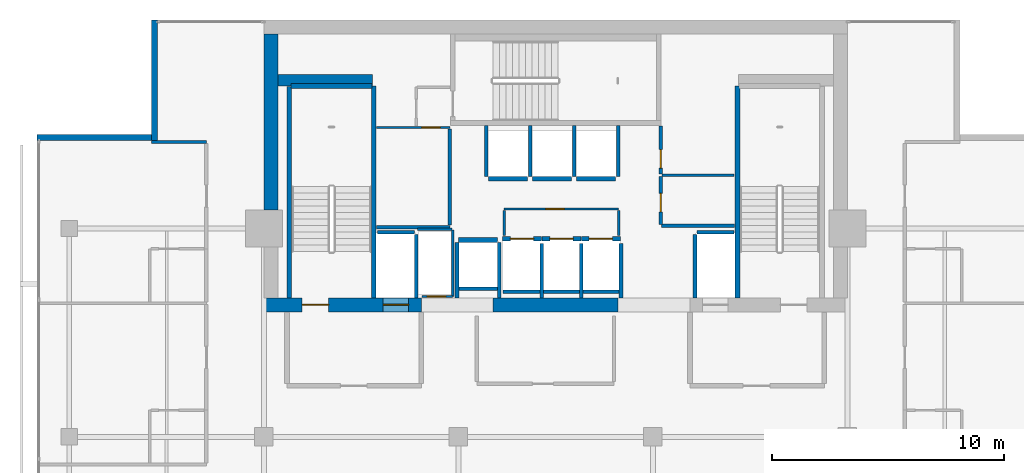
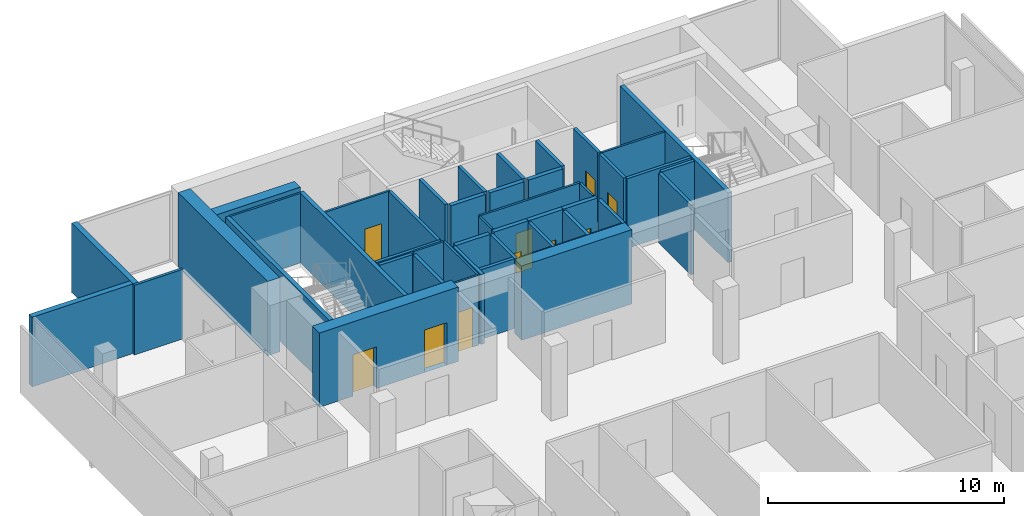
# One storey, part 22 of 25: 46 walls, 10 doors, 10 openings.
"""IFC4 building model written with IfcOpenShell, lengths in metres."""

import ifcopenshell
import ifcopenshell.guid

model = None  # the IFC model being written
_history = None  # IfcOwnerHistory: only IFC2X3 demands one
_inside = {}  # id of a spatial element -> (the spatial element, [elements in it])
_under = {}  # id of a project, library or spatial element -> (it, [spatial elements below it])
_declared = {}  # id of a project -> (the project, [libraries it declares])
_typed = {}  # id of a type object -> (the type object, [elements of that type])
_made_of = {}  # id of a material, layer set ... -> (it, [elements and type objects made of it])


def new_model(schema):
    """Start an empty IFC model of exactly this schema.

    Asked for "IFC4X3", IfcOpenShell would pick the latest addendum, in which some entities
    have other attributes; the version numbers below select the first issue.
    IFC2X3 requires an IfcOwnerHistory on every rooted entity: one is made here for all.
    """
    global model, _history
    if schema == "IFC4X3":
        model = ifcopenshell.file(schema_version=(4, 3, 0, 0))
    else:
        model = ifcopenshell.file(schema=schema)
    _inside.clear()
    _under.clear()
    _declared.clear()
    _typed.clear()
    _made_of.clear()
    _history = None
    if model.schema == "IFC2X3":
        org = make("IfcOrganization", Name="unknown")
        user = make(
            "IfcPersonAndOrganization",
            ThePerson=make("IfcPerson", FamilyName="unknown"),
            TheOrganization=org,
        )
        app = make(
            "IfcApplication",
            ApplicationDeveloper=org,
            Version="unknown",
            ApplicationFullName="unknown",
            ApplicationIdentifier="unknown",
        )
        _history = make(
            "IfcOwnerHistory",
            OwningUser=user,
            OwningApplication=app,
            ChangeAction="ADDED",
            CreationDate=0,
        )
    return model


def make(cls, **values):
    """One entity of the class cls with the attributes given. An attribute that is None is left unset."""
    return model.create_entity(
        cls, **{name: value for name, value in values.items() if value is not None}
    )


def rooted(cls, **values):
    """An entity with a GlobalId (a new one), such as an element, a storey or a relation."""
    return make(cls, GlobalId=ifcopenshell.guid.new(), OwnerHistory=_history, **values)


def si_unit(unit_type, name, prefix=None):
    """IfcSIUnit, for example si_unit("LENGTHUNIT", "METRE", prefix="MILLI")."""
    return make("IfcSIUnit", UnitType=unit_type, Prefix=prefix, Name=name)


def assignment(units):
    """IfcUnitAssignment: the units of a project."""
    return None if units is None else make("IfcUnitAssignment", Units=units)


def point(xyz):
    """IfcCartesianPoint."""
    return None if xyz is None else make("IfcCartesianPoint", Coordinates=xyz)


def direction(xyz):
    """IfcDirection."""
    return None if xyz is None else make("IfcDirection", DirectionRatios=xyz)


def frame(location, z_axis=None, x_axis=None):
    """IfcAxis2Placement3D, a coordinate frame: its origin and axes. An axis left out is left unset."""
    return make(
        "IfcAxis2Placement3D",
        Location=point(location),
        Axis=direction(z_axis),
        RefDirection=direction(x_axis),
    )


def frame_2d(location, x_axis=None):
    """IfcAxis2Placement2D, a coordinate frame in the plane: its origin and x axis."""
    return make(
        "IfcAxis2Placement2D", Location=point(location), RefDirection=direction(x_axis)
    )


def origin():
    """The frame at (0, 0, 0) with its axes left unset."""
    return frame((0.0, 0.0, 0.0))


def place(relative_to, where):
    """IfcLocalPlacement: puts the frame where relative to a parent placement (None: the world)."""
    return make(
        "IfcLocalPlacement", PlacementRelTo=relative_to, RelativePlacement=where
    )


def context(
    kind, dimensions, precision=None, world=None, true_north=None, identifier=None
):
    """IfcGeometricRepresentationContext, for example the 3D "Model" context."""
    return make(
        "IfcGeometricRepresentationContext",
        ContextIdentifier=identifier,
        ContextType=kind,
        CoordinateSpaceDimension=dimensions,
        Precision=precision,
        WorldCoordinateSystem=world,
        TrueNorth=true_north,
    )


def subcontext(parent, identifier, kind, view, scale=None):
    """IfcGeometricRepresentationSubContext, for example "Body" below "Model"."""
    return make(
        "IfcGeometricRepresentationSubContext",
        ContextIdentifier=identifier,
        ContextType=kind,
        ParentContext=parent,
        TargetScale=scale,
        TargetView=view,
    )


def project(units=None, contexts=None):
    """IfcProject with its units and contexts."""
    return rooted(
        "IfcProject",
        Name="project",
        RepresentationContexts=contexts,
        UnitsInContext=assignment(units),
    )


def spatial(cls, under=None, at=None, **own):
    """A site, building, storey or space (cls), placed at a placement, below another one or the project."""
    s = rooted(cls, ObjectPlacement=at, **own)
    if under is not None:
        _under.setdefault(under.id(), (under, []))[1].append(s)
    return s


def profile(cls, at=None, kind="AREA", **sizes):
    """A parametric profile (cls). Its sizes go by their IFC names, for example OverallWidth=200.0."""
    return make(cls, ProfileType=kind, Position=at, **sizes)


def rectangle(**sizes):
    """IfcRectangleProfileDef."""
    return profile("IfcRectangleProfileDef", **sizes)


def extrude(swept, where, along, depth):
    """IfcExtrudedAreaSolid: the profile swept, set in the frame where, extruded along a direction by depth."""
    return make(
        "IfcExtrudedAreaSolid",
        SweptArea=swept,
        Position=where,
        ExtrudedDirection=direction(along),
        Depth=depth,
    )


def shape(context_of_items, identifier, shape_type, items):
    """IfcShapeRepresentation: the items that make up one representation, for example the "Body"."""
    return make(
        "IfcShapeRepresentation",
        ContextOfItems=context_of_items,
        RepresentationIdentifier=identifier,
        RepresentationType=shape_type,
        Items=items,
    )


def material(Name=None, Category=None):
    """IfcMaterial."""
    return make("IfcMaterial", Name=Name, Category=Category)


def layer(
    of_material, thickness, ventilated=None, Name=None, Category=None, Priority=None
):
    """IfcMaterialLayer: one layer of a wall or slab, of a material (None: an air gap)."""
    return make(
        "IfcMaterialLayer",
        Material=of_material,
        LayerThickness=thickness,
        IsVentilated=ventilated,
        Name=Name,
        Category=Category,
        Priority=Priority,
    )


def layer_set(layers, Name=None):
    """IfcMaterialLayerSet."""
    return make("IfcMaterialLayerSet", MaterialLayers=layers, LayerSetName=Name)


def made_of(thing, what):
    """Note that an element or type object is made of a material, layer set ...; save() writes the relation."""
    if what is not None:
        _made_of.setdefault(what.id(), (what, []))[1].append(thing)
    return thing


def type_object(cls, material=None, **own):
    """A type object (cls), such as IfcWallType, which elements share."""
    return made_of(rooted(cls, **own), material)


def element(
    cls,
    number,
    at=None,
    inside=None,
    cuts=None,
    type_object=None,
    material=None,
    context=None,
    identifier="Body",
    shape_type=None,
    held_by="IfcProductDefinitionShape",
    body=None,
    shapes=None,
    **own,
):
    """One element of the class cls, such as IfcWall. Its Tag is "e" and its number.

    at: its placement. inside: the storey or other place that contains it. cuts: it is an
    opening in that element (IfcRelVoidsElement). A single representation is given by context,
    identifier, shape_type and body (its items); several are given by shapes. held_by: the class
    of the entity that holds the representations. save() writes the other relations.
    """
    e = rooted(cls, Tag="e%d" % number, ObjectPlacement=at, **own)
    if body is not None:
        shapes = [shape(context, identifier, shape_type, body)]
    if shapes is not None:
        e.Representation = make(held_by, Representations=shapes)
    if inside is not None:
        _inside.setdefault(inside.id(), (inside, []))[1].append(e)
    if cuts is not None:
        rooted(
            "IfcRelVoidsElement", RelatingBuildingElement=cuts, RelatedOpeningElement=e
        )
    if type_object is not None:
        _typed.setdefault(type_object.id(), (type_object, []))[1].append(e)
    return made_of(e, material)


def fill(opening, filler):
    """IfcRelFillsElement: the door or window that sits in an opening."""
    return rooted(
        "IfcRelFillsElement",
        RelatingOpeningElement=opening,
        RelatedBuildingElement=filler,
    )


def aggregate(whole, parts):
    """IfcRelAggregates: a whole, such as a stair, and the parts it consists of."""
    return rooted("IfcRelAggregates", RelatingObject=whole, RelatedObjects=parts)


def save(model, path):
    """Write the relations noted so far, then the file.

    IfcRelAggregates (storeys below a building ...), IfcRelContainedInSpatialStructure (elements
    in a storey), IfcRelDefinesByType, IfcRelAssociatesMaterial and IfcRelDeclares: one each for
    every whole, place, type object, material and project.
    """
    for whole, parts in _under.values():
        aggregate(whole, parts)
    for where, things in _inside.values():
        rooted(
            "IfcRelContainedInSpatialStructure",
            RelatedElements=things,
            RelatingStructure=where,
        )
    for kind, things in _typed.values():
        rooted("IfcRelDefinesByType", RelatedObjects=things, RelatingType=kind)
    for what, things in _made_of.values():
        rooted("IfcRelAssociatesMaterial", RelatedObjects=things, RelatingMaterial=what)
    for by, libraries in _declared.values():
        rooted("IfcRelDeclares", RelatingContext=by, RelatedDefinitions=libraries)
    model.write(path)


model = new_model("IFC4")

# Units and contexts
model_context = context("Model", 3, precision=1e-05, world=origin(), true_north=direction((0.0, 1.0)))
body_context = subcontext(model_context, "Body", "Model", "MODEL_VIEW")
ifc_project = project(units=[si_unit("LENGTHUNIT", "METRE"), si_unit("AREAUNIT", "SQUARE_METRE"), si_unit("VOLUMEUNIT", "CUBIC_METRE"), si_unit("PLANEANGLEUNIT", "RADIAN"), si_unit("MASSUNIT", "GRAM", prefix="KILO")], contexts=[model_context])

# Site, building, storey
site_placement = place(None, origin())
site = spatial("IfcSite", under=ifc_project, at=site_placement, CompositionType="ELEMENT")
building_placement = place(site_placement, origin())
building = spatial("IfcBuilding", under=site, at=building_placement, Name="Maruvema Waterfront Hotel and Observation Tower", CompositionType="ELEMENT")
storey_placement = place(building_placement, frame((0.0, 0.0, 270.199951171875)))
storey = spatial("IfcBuildingStorey", under=building, at=storey_placement, Name="L66", CompositionType="ELEMENT", Elevation=270.199951171875)

# Walls
ifc_material_1 = material(Name="Twin-stud acoustic gypsum drywall", Category="gypsum")
ifc_layer_1 = layer(ifc_material_1, 0.14990234375, Name="Acoustic Corridor and Suite Demising Wall 150 mm")
ifc_layer_set_1 = layer_set([ifc_layer_1], Name="Twin-stud acoustic gypsum drywall")
wall_type_1 = type_object("IfcWallType", Name="Acoustic Corridor and Suite Demising Wall 150 mm", PredefinedType="PARTITIONING", material=ifc_layer_set_1)
wall_1_placement = place(storey_placement, frame((30.06005859375, 45.06005859375, 0.0), z_axis=(0.0, 0.0, 1.0), x_axis=(1.0, 0.0, 0.0)))
element("IfcWall", 1, at=wall_1_placement, inside=storey, type_object=wall_type_1, Name="L66 Freed B1 South Wall 013", PredefinedType="PARTITIONING", context=body_context, shape_type="SweptSolid", body=[
    extrude(rectangle(XDim=3.179931640625, YDim=0.14990234375, at=frame_2d((1.58984375, 0.0))), origin(), (0.0, 0.0, 1.0), 3.610107421875),
])
wall_2_placement = place(storey_placement, frame((33.219970703125, 45.139892578125, 0.0), z_axis=(0.0, 0.0, 1.0), x_axis=(0.0, 1.0, 0.0)))
element("IfcWall", 2, at=wall_2_placement, inside=storey, type_object=wall_type_1, Name="L66 Freed B1 East Wall 014", PredefinedType="PARTITIONING", context=body_context, shape_type="SweptSolid", body=[
    extrude(rectangle(XDim=4.16015625, YDim=0.14990234375, at=frame_2d((2.080078125, 0.0))), origin(), (0.0, 0.0, 1.0), 3.610107421875),
])

# Wall, opening, door
wall_3_placement = place(storey_placement, frame((42.340087890625, 45.159912109375, 0.0), z_axis=(0.0, 0.0, 1.0), x_axis=(0.0, 1.0, 0.0)))
wall_3 = element("IfcWall", 3, at=wall_3_placement, inside=storey, type_object=wall_type_1, Name="L66 Freed B2 West S 018", PredefinedType="PARTITIONING", context=body_context, shape_type="SweptSolid", body=[
    extrude(rectangle(XDim=2.080078125, YDim=0.14990234375, at=frame_2d((1.0400390625, 0.0))), origin(), (0.0, 0.0, 1.0), 3.610107421875),
])
opening_1_placement = place(wall_3_placement, frame((0.550048828125, 0.0, 0.0)))
opening_1 = element("IfcOpeningElement", 4, at=opening_1_placement, cuts=wall_3, Name="Opening DR-080", PredefinedType="OPENING", context=body_context, shape_type="SweptSolid", body=[
    extrude(rectangle(XDim=0.800048828125, YDim=2.050048828125, at=frame_2d((0.39990234375, 1.02490234375))), frame((0.0, 0.0849609375, 0.0), z_axis=(0.0, -1.0, 0.0), x_axis=(1.0, 0.0, 0.0)), (0.0, 0.0, 1.0), 0.169921875),
])
ifc_material_2 = material(Name="Powder-coated steel access leaf", Category="steel")
door_type_1 = type_object("IfcDoorType", Name="Riser and Service Cupboard Door 800x2050 mm", OperationType="NOTDEFINED", PredefinedType="DOOR", material=ifc_material_2)
door_1_placement = place(opening_1_placement, frame((0.800048828125, 0.0, 0.0), z_axis=(0.0, 0.0, 1.0), x_axis=(-1.0, 0.0, 0.0)))
door_1 = element("IfcDoor", 5, at=door_1_placement, inside=storey, type_object=door_type_1, Name="L66 Butler Service Pantry Door", OperationType="SINGLE_SWING_LEFT", OverallHeight=2.050048828125, OverallWidth=0.800048828125, PredefinedType="DOOR", context=body_context, shape_type="SweptSolid", body=[
    extrude(rectangle(XDim=0.800048828125, YDim=2.050048828125, at=frame_2d((0.39990234375, 1.02490234375))), frame((0.0, 0.02490234375, 0.0), z_axis=(0.0, -1.0, 0.0), x_axis=(1.0, 0.0, 0.0)), (0.0, 0.0, 1.0), 0.050048828125),
])
fill(opening_1, door_1)

wall_4_placement = place(storey_placement, frame((42.340087890625, 47.360107421875, 0.0), z_axis=(0.0, 0.0, 1.0), x_axis=(0.0, 1.0, 0.0)))
wall_4 = element("IfcWall", 6, at=wall_4_placement, inside=storey, type_object=wall_type_1, Name="L66 Freed B2 West N 019", PredefinedType="PARTITIONING", context=body_context, shape_type="SweptSolid", body=[
    extrude(rectangle(XDim=2.059814453125, YDim=0.14990234375, at=frame_2d((1.02978515625, 0.0))), origin(), (0.0, 0.0, 1.0), 3.610107421875),
])
opening_2_placement = place(wall_4_placement, frame((0.239990234375, 0.0, 0.0)))
opening_2 = element("IfcOpeningElement", 7, at=opening_2_placement, cuts=wall_4, Name="Opening DR-080", PredefinedType="OPENING", context=body_context, shape_type="SweptSolid", body=[
    extrude(rectangle(XDim=0.800048828125, YDim=2.050048828125, at=frame_2d((0.39990234375, 1.02490234375))), frame((0.0, 0.0849609375, 0.0), z_axis=(0.0, -1.0, 0.0), x_axis=(1.0, 0.0, 0.0)), (0.0, 0.0, 1.0), 0.169921875),
])
door_2_placement = place(opening_2_placement, frame((0.800048828125, 0.0, 0.0), z_axis=(0.0, 0.0, 1.0), x_axis=(-1.0, 0.0, 0.0)))
door_2 = element("IfcDoor", 8, at=door_2_placement, inside=storey, type_object=door_type_1, Name="L66 Core IT and Linen Store Door", OperationType="SINGLE_SWING_RIGHT", OverallHeight=2.050048828125, OverallWidth=0.800048828125, PredefinedType="DOOR", context=body_context, shape_type="SweptSolid", body=[
    extrude(rectangle(XDim=0.800048828125, YDim=2.050048828125, at=frame_2d((0.39990234375, 1.02490234375))), frame((0.0, 0.02490234375, 0.0), z_axis=(0.0, -1.0, 0.0), x_axis=(1.0, 0.0, 0.0)), (0.0, 0.0, 1.0), 0.050048828125),
])
fill(opening_2, door_2)

# Walls
wall_5_placement = place(storey_placement, frame((42.3798828125, 45.1201171875, 0.0), z_axis=(0.0, 0.0, 1.0), x_axis=(1.0, 0.0, 0.0)))
element("IfcWall", 9, at=wall_5_placement, inside=storey, type_object=wall_type_1, Name="L66 Freed B2 South Wall 021", PredefinedType="PARTITIONING", context=body_context, shape_type="SweptSolid", body=[
    extrude(rectangle(XDim=3.14013671875, YDim=0.14990234375, at=frame_2d((1.570068359375, 0.0))), origin(), (0.0, 0.0, 1.0), 3.610107421875),
])
ifc_material_3 = material(Name="Precast concrete C45/55", Category="concrete")
ifc_layer_2 = layer(ifc_material_3, 0.199951171875, Name="Core Shaft and Stairwell Enclosure Wall 200 mm")
ifc_layer_set_2 = layer_set([ifc_layer_2], Name="Precast concrete C45/55")
wall_type_2 = type_object("IfcWallType", Name="Core Shaft and Stairwell Enclosure Wall 200 mm", PredefinedType="SOLIDWALL", material=ifc_layer_set_2)
wall_6_placement = place(storey_placement, frame((29.949951171875, 42.0, 0.0), z_axis=(0.0, 0.0, 1.0), x_axis=(0.0, 1.0, 0.0)))
element("IfcWall", 10, at=wall_6_placement, inside=storey, type_object=wall_type_2, Name="L66 Stairwell ST-01 East Shaft Wall", PredefinedType="SOLIDWALL", context=body_context, shape_type="SweptSolid", body=[
    extrude(rectangle(XDim=9.14990234375, YDim=0.199951171875, at=frame_2d((4.574951171875, 0.0))), origin(), (0.0, 0.0, 1.0), 3.610107421875),
])
wall_7_placement = place(storey_placement, frame((26.300048828125, 42.0, 0.0), z_axis=(0.0, 0.0, 1.0), x_axis=(0.0, 1.0, 0.0)))
element("IfcWall", 11, at=wall_7_placement, inside=storey, type_object=wall_type_2, Name="L66 Stairwell ST-01 Shaft Lining Wall", PredefinedType="SOLIDWALL", context=body_context, shape_type="SweptSolid", body=[
    extrude(rectangle(XDim=9.1201171875, YDim=0.199951171875, at=frame_2d((4.56005859375, 0.0))), origin(), (0.0, 0.0, 1.0), 3.610107421875),
])
wall_8_placement = place(storey_placement, frame((26.3798828125, 51.14990234375, 0.0), z_axis=(0.0, 0.0, 1.0), x_axis=(1.0, 0.0, 0.0)))
element("IfcWall", 12, at=wall_8_placement, inside=storey, type_object=wall_type_2, Name="L66 Stairwell ST-01 Shaft Lining Wall", PredefinedType="SOLIDWALL", context=body_context, shape_type="SweptSolid", body=[
    extrude(rectangle(XDim=3.5, YDim=0.199951171875, at=frame_2d((1.75, 0.0))), origin(), (0.0, 0.0, 1.0), 3.610107421875),
])
wall_9_placement = place(storey_placement, frame((45.64990234375, 42.0, 0.0), z_axis=(0.0, 0.0, 1.0), x_axis=(0.0, 1.0, 0.0)))
element("IfcWall", 13, at=wall_9_placement, inside=storey, type_object=wall_type_2, Name="L66 Stairwell ST-03 West Shaft Wall", PredefinedType="SOLIDWALL", context=body_context, shape_type="SweptSolid", body=[
    extrude(rectangle(XDim=9.14990234375, YDim=0.199951171875, at=frame_2d((4.574951171875, 0.0))), origin(), (0.0, 0.0, 1.0), 3.610107421875),
])

# Wall, opening, door
wall_10_placement = place(storey_placement, frame((35.510009765625, 44.550048828125, 0.0), z_axis=(0.0, 0.0, 1.0), x_axis=(1.0, 0.0, 0.0)))
wall_10 = element("IfcWall", 14, at=wall_10_placement, inside=storey, type_object=wall_type_2, Name="L66 Lift LF-09 Hoistway Front Wall", PredefinedType="SOLIDWALL", context=body_context, shape_type="SweptSolid", body=[
    extrude(rectangle(XDim=1.679931640625, YDim=0.199951171875, at=frame_2d((0.83984375, 0.0))), origin(), (0.0, 0.0, 1.0), 3.610107421875),
])
opening_3_placement = place(wall_10_placement, frame((0.340087890625, 0.0, 0.0)))
opening_3 = element("IfcOpeningElement", 15, at=opening_3_placement, cuts=wall_10, Name="Opening LD-01", PredefinedType="OPENING", context=body_context, shape_type="SweptSolid", body=[
    extrude(rectangle(XDim=1.0, YDim=2.14990234375, at=frame_2d((0.5, 1.074951171875))), frame((0.0, 0.10986328125, 0.0), z_axis=(0.0, -1.0, 0.0), x_axis=(1.0, 0.0, 0.0)), (0.0, 0.0, 1.0), 0.219970703125),
])
ifc_material_4 = material(Name="Brushed stainless steel Grade 316", Category="steel")
door_type_2 = type_object("IfcDoorType", Name="Passenger Lift Sliding Landing Door 1000x2150 mm", OperationType="SLIDING_TO_LEFT", PredefinedType="DOOR", material=ifc_material_4)
door_3_placement = place(opening_3_placement, origin())
door_3 = element("IfcDoor", 16, at=door_3_placement, inside=storey, type_object=door_type_2, Name="L66 Lift LF-09 Sliding Landing Door", OperationType="SLIDING_TO_LEFT", OverallHeight=2.14990234375, OverallWidth=1.0, PredefinedType="DOOR", context=body_context, shape_type="SweptSolid", body=[
    extrude(rectangle(XDim=1.0, YDim=2.14990234375, at=frame_2d((0.5, 1.074951171875))), frame((0.0, 0.02490234375, 0.0), z_axis=(0.0, -1.0, 0.0), x_axis=(1.0, 0.0, 0.0)), (0.0, 0.0, 1.0), 0.050048828125),
])
fill(opening_3, door_3)

wall_11_placement = place(storey_placement, frame((37.2099609375, 44.550048828125, 0.0), z_axis=(0.0, 0.0, 1.0), x_axis=(1.0, 0.0, 0.0)))
wall_11 = element("IfcWall", 17, at=wall_11_placement, inside=storey, type_object=wall_type_2, Name="L66 Lift LF-10 Hoistway Front Wall", PredefinedType="SOLIDWALL", context=body_context, shape_type="SweptSolid", body=[
    extrude(rectangle(XDim=1.679931640625, YDim=0.199951171875, at=frame_2d((0.83984375, 0.0))), origin(), (0.0, 0.0, 1.0), 3.610107421875),
])
opening_4_placement = place(wall_11_placement, frame((0.340087890625, 0.0, 0.0)))
opening_4 = element("IfcOpeningElement", 18, at=opening_4_placement, cuts=wall_11, Name="Opening LD-01", PredefinedType="OPENING", context=body_context, shape_type="SweptSolid", body=[
    extrude(rectangle(XDim=1.0, YDim=2.14990234375, at=frame_2d((0.5, 1.074951171875))), frame((0.0, 0.10986328125, 0.0), z_axis=(0.0, -1.0, 0.0), x_axis=(1.0, 0.0, 0.0)), (0.0, 0.0, 1.0), 0.219970703125),
])
door_4_placement = place(opening_4_placement, origin())
door_4 = element("IfcDoor", 19, at=door_4_placement, inside=storey, type_object=door_type_2, Name="L66 Lift LF-10 Sliding Landing Door", OperationType="SLIDING_TO_LEFT", OverallHeight=2.14990234375, OverallWidth=1.0, PredefinedType="DOOR", context=body_context, shape_type="SweptSolid", body=[
    extrude(rectangle(XDim=1.0, YDim=2.14990234375, at=frame_2d((0.5, 1.074951171875))), frame((0.0, 0.02490234375, 0.0), z_axis=(0.0, -1.0, 0.0), x_axis=(1.0, 0.0, 0.0)), (0.0, 0.0, 1.0), 0.050048828125),
])
fill(opening_4, door_4)

wall_12_placement = place(storey_placement, frame((38.909912109375, 44.550048828125, 0.0), z_axis=(0.0, 0.0, 1.0), x_axis=(1.0, 0.0, 0.0)))
wall_12 = element("IfcWall", 20, at=wall_12_placement, inside=storey, type_object=wall_type_2, Name="L66 Lift LF-11 Hoistway Front Wall", PredefinedType="SOLIDWALL", context=body_context, shape_type="SweptSolid", body=[
    extrude(rectangle(XDim=1.68017578125, YDim=0.199951171875, at=frame_2d((0.840087890625, 0.0))), origin(), (0.0, 0.0, 1.0), 3.610107421875),
])
opening_5_placement = place(wall_12_placement, frame((0.340087890625, 0.0, 0.0)))
opening_5 = element("IfcOpeningElement", 21, at=opening_5_placement, cuts=wall_12, Name="Opening LD-01", PredefinedType="OPENING", context=body_context, shape_type="SweptSolid", body=[
    extrude(rectangle(XDim=1.0, YDim=2.14990234375, at=frame_2d((0.5, 1.074951171875))), frame((0.0, 0.10986328125, 0.0), z_axis=(0.0, -1.0, 0.0), x_axis=(1.0, 0.0, 0.0)), (0.0, 0.0, 1.0), 0.219970703125),
])
door_5_placement = place(opening_5_placement, origin())
door_5 = element("IfcDoor", 22, at=door_5_placement, inside=storey, type_object=door_type_2, Name="L66 Lift LF-11 Sliding Landing Door", OperationType="SLIDING_TO_LEFT", OverallHeight=2.14990234375, OverallWidth=1.0, PredefinedType="DOOR", context=body_context, shape_type="SweptSolid", body=[
    extrude(rectangle(XDim=1.0, YDim=2.14990234375, at=frame_2d((0.5, 1.074951171875))), frame((0.0, 0.02490234375, 0.0), z_axis=(0.0, -1.0, 0.0), x_axis=(1.0, 0.0, 0.0)), (0.0, 0.0, 1.0), 0.050048828125),
])
fill(opening_5, door_5)

# Walls
wall_13_placement = place(storey_placement, frame((34.909912109375, 47.14990234375, 0.0), z_axis=(0.0, 0.0, 1.0), x_axis=(1.0, 0.0, 0.0)))
element("IfcWall", 23, at=wall_13_placement, inside=storey, type_object=wall_type_2, Name="L66 Lift LF-12 Hoistway Front Wall", PredefinedType="SOLIDWALL", context=body_context, shape_type="SweptSolid", body=[
    extrude(rectangle(XDim=1.68017578125, YDim=0.199951171875, at=frame_2d((0.840087890625, 0.0))), origin(), (0.0, 0.0, 1.0), 3.610107421875),
])
for number, where, z_axis, x_axis, name in (
    (24, (36.81005859375, 47.14990234375, 0.0), (0.0, 0.0, 1.0), (1.0, 0.0, 0.0), "L66 Lift LF-13 Hoistway Front Wall"),
    (25, (38.7099609375, 47.14990234375, 0.0), (0.0, 0.0, 1.0), (1.0, 0.0, 0.0), "L66 Lift LF-14 Hoistway Front Wall"),
    (26, (33.610107421875, 44.5, 0.0), (0.0, 0.0, 1.0), (1.0, 0.0, 0.0), "L66 Lift LF-15 Hoistway Front Wall"),
):
    element("IfcWall", number, at=place(storey_placement, frame(where, z_axis=z_axis, x_axis=x_axis)), inside=storey, type_object=wall_type_2, Name=name, PredefinedType="SOLIDWALL", context=body_context, shape_type="SweptSolid", body=[
        extrude(rectangle(XDim=1.679931640625, YDim=0.199951171875, at=frame_2d((0.83984375, 0.0))), origin(), (0.0, 0.0, 1.0), 3.610107421875),
    ])
ifc_material_5 = material(Name="Concrete C70/85", Category="concrete")
ifc_layer_3 = layer(ifc_material_5, 0.5, Name="Core Shear Wall 500 mm")
ifc_layer_set_3 = layer_set([ifc_layer_3], Name="Concrete C70/85")
wall_type_3 = type_object("IfcWallType", Name="Core Shear Wall 500 mm", PredefinedType="SHEAR", material=ifc_layer_set_3)
wall_14_placement = place(storey_placement, frame((25.800048828125, 51.39990234375, 0.0), z_axis=(0.0, 0.0, 1.0), x_axis=(1.0, 0.0, 0.0)))
element("IfcWall", 27, at=wall_14_placement, inside=storey, type_object=wall_type_3, Name="L66 Internal Core Shear Wall NW 500 mm", PredefinedType="SHEAR", context=body_context, shape_type="SweptSolid", body=[
    extrude(rectangle(XDim=4.099853515625, YDim=0.5, at=frame_2d((2.0498046875, 0.0))), origin(), (0.0, 0.0, 1.0), 3.85009765625),
])

# Wall, openings, doors
ifc_material_6 = material(Name="Concrete C60/75", Category="concrete")
ifc_layer_4 = layer(ifc_material_6, 0.60009765625, Name="Core Shear Wall 600 mm")
ifc_layer_set_4 = layer_set([ifc_layer_4], Name="Concrete C60/75")
wall_type_4 = type_object("IfcWallType", Name="Core Shear Wall 600 mm", PredefinedType="SHEAR", material=ifc_layer_set_4)
wall_15_placement = place(storey_placement, frame((25.199951171875, 41.699951171875, 0.0), z_axis=(0.0, 0.0, 1.0), x_axis=(1.0, 0.0, 0.0)))
wall_15 = element("IfcWall", 28, at=wall_15_placement, inside=storey, type_object=wall_type_4, Name="L66 South-West Core Shear Wall", PredefinedType="SHEAR", context=body_context, shape_type="SweptSolid", body=[
    extrude(rectangle(XDim=6.800048828125, YDim=0.60009765625, at=frame_2d((3.39990234375, 0.0))), origin(), (0.0, 0.0, 1.0), 3.85009765625),
])
opening_6_placement = place(wall_15_placement, frame((1.64990234375, 0.0, 0.0)))
opening_6 = element("IfcOpeningElement", 29, at=opening_6_placement, cuts=wall_15, Name="Opening SD-01", PredefinedType="OPENING", context=body_context, shape_type="SweptSolid", body=[
    extrude(rectangle(XDim=1.14990234375, YDim=2.14990234375, at=frame_2d((0.574951171875, 1.074951171875))), frame((0.0, 0.31005859375, 0.0), z_axis=(0.0, -1.0, 0.0), x_axis=(1.0, 0.0, 0.0)), (0.0, 0.0, 1.0), 0.6201171875),
])
opening_7_placement = place(wall_15_placement, frame((5.14990234375, 0.0, 0.0)))
opening_7 = element("IfcOpeningElement", 30, at=opening_7_placement, cuts=wall_15, Name="Opening LD-03", PredefinedType="OPENING", context=body_context, shape_type="SweptSolid", body=[
    extrude(rectangle(XDim=1.10009765625, YDim=2.199951171875, at=frame_2d((0.550048828125, 1.10009765625))), frame((0.0, 0.31005859375, 0.0), z_axis=(0.0, -1.0, 0.0), x_axis=(1.0, 0.0, 0.0)), (0.0, 0.0, 1.0), 0.6201171875),
])
ifc_material_7 = material(Name="Fire-rated galvanised steel leaf", Category="steel")
door_type_3 = type_object("IfcDoorType", Name="Exit Stair Fire Door 1150x2150 mm", OperationType="NOTDEFINED", PredefinedType="DOOR", material=ifc_material_7)
door_6_placement = place(opening_6_placement, origin())
door_6 = element("IfcDoor", 31, at=door_6_placement, inside=storey, type_object=door_type_3, Name="L66 Exit Stair ST-01 Fire Door", OperationType="SINGLE_SWING_LEFT", OverallHeight=2.14990234375, OverallWidth=1.14990234375, PredefinedType="DOOR", context=body_context, shape_type="SweptSolid", body=[
    extrude(rectangle(XDim=1.14990234375, YDim=2.14990234375, at=frame_2d((0.574951171875, 1.074951171875))), frame((0.0, 0.02490234375, 0.0), z_axis=(0.0, -1.0, 0.0), x_axis=(1.0, 0.0, 0.0)), (0.0, 0.0, 1.0), 0.050048828125),
])
fill(opening_6, door_6)
ifc_material_8 = material(Name="Brushed stainless steel Grade 316", Category="steel")
door_type_4 = type_object("IfcDoorType", Name="Firefighting Lift Sliding Landing Door 1100x2200 mm", OperationType="SLIDING_TO_LEFT", PredefinedType="DOOR", material=ifc_material_8)
door_7_placement = place(opening_7_placement, frame((1.10009765625, 0.0, 0.0), z_axis=(0.0, 0.0, 1.0), x_axis=(-1.0, 0.0, 0.0)))
door_7 = element("IfcDoor", 32, at=door_7_placement, inside=storey, type_object=door_type_4, Name="L66 Firefighting Lift FL-01 Landing Door", OperationType="SLIDING_TO_LEFT", OverallHeight=2.199951171875, OverallWidth=1.10009765625, PredefinedType="DOOR", context=body_context, shape_type="SweptSolid", body=[
    extrude(rectangle(XDim=1.10009765625, YDim=2.199951171875, at=frame_2d((0.550048828125, 1.10009765625))), frame((0.0, 0.02490234375, 0.0), z_axis=(0.0, -1.0, 0.0), x_axis=(1.0, 0.0, 0.0)), (0.0, 0.0, 1.0), 0.050048828125),
])
fill(opening_7, door_7)

# Walls
wall_16_placement = place(storey_placement, frame((35.10009765625, 41.699951171875, 0.0), z_axis=(0.0, 0.0, 1.0), x_axis=(1.0, 0.0, 0.0)))
element("IfcWall", 33, at=wall_16_placement, inside=storey, type_object=wall_type_4, Name="L66 South-Central Core Shear Wall", PredefinedType="SHEAR", context=body_context, shape_type="SweptSolid", body=[
    extrude(rectangle(XDim=5.39990234375, YDim=0.60009765625, at=frame_2d((2.699951171875, 0.0))), origin(), (0.0, 0.0, 1.0), 3.85009765625),
])
wall_17_placement = place(storey_placement, frame((25.5, 45.800048828125, 0.0), z_axis=(0.0, 0.0, 1.0), x_axis=(0.0, 1.0, 0.0)))
element("IfcWall", 34, at=wall_17_placement, inside=storey, type_object=wall_type_4, Name="L66 West-North Core Shear Wall", PredefinedType="SHEAR", context=body_context, shape_type="SweptSolid", body=[
    extrude(rectangle(XDim=7.599853515625, YDim=0.60009765625, at=frame_2d((3.7998046875, 0.0))), origin(), (0.0, 0.0, 1.0), 3.85009765625),
])

# Wall, opening, door
ifc_material_9 = material(Name="Moisture-resistant cement-board drywall", Category="gypsum")
ifc_layer_5 = layer(ifc_material_9, 0.10009765625, Name="En-Suite Moisture-Resistant Partition 100 mm")
ifc_layer_set_5 = layer_set([ifc_layer_5], Name="Moisture-resistant cement-board drywall")
wall_type_5 = type_object("IfcWallType", Name="En-Suite Moisture-Resistant Partition 100 mm", PredefinedType="PARTITIONING", material=ifc_layer_set_5)
wall_18_placement = place(storey_placement, frame((32.02001953125, 42.06005859375, 0.0), z_axis=(0.0, 0.0, 1.0), x_axis=(1.0, 0.0, 0.0)))
wall_18 = element("IfcWall", 35, at=wall_18_placement, inside=storey, type_object=wall_type_5, Name="L66 Telecom Riser South Wall 007", PredefinedType="PARTITIONING", context=body_context, shape_type="SweptSolid", body=[
    extrude(rectangle(XDim=1.320068359375, YDim=0.10009765625, at=frame_2d((0.66015625, 0.0))), origin(), (0.0, 0.0, 1.0), 3.610107421875),
])
opening_8_placement = place(wall_18_placement, frame((0.239990234375, 0.0, 0.0)))
opening_8 = element("IfcOpeningElement", 36, at=opening_8_placement, cuts=wall_18, Name="Opening DR-080", PredefinedType="OPENING", context=body_context, shape_type="SweptSolid", body=[
    extrude(rectangle(XDim=0.800048828125, YDim=2.050048828125, at=frame_2d((0.39990234375, 1.02490234375))), frame((0.0, 0.06005859375, 0.0), z_axis=(0.0, -1.0, 0.0), x_axis=(1.0, 0.0, 0.0)), (0.0, 0.0, 1.0), 0.1201171875),
])
door_8_placement = place(opening_8_placement, frame((0.800048828125, 0.0, 0.0), z_axis=(0.0, 0.0, 1.0), x_axis=(-1.0, 0.0, 0.0)))
door_8 = element("IfcDoor", 37, at=door_8_placement, inside=storey, type_object=door_type_1, Name="L66 Telecom Riser Door", OperationType="SINGLE_SWING_LEFT", OverallHeight=2.050048828125, OverallWidth=0.800048828125, PredefinedType="DOOR", context=body_context, shape_type="SweptSolid", body=[
    extrude(rectangle(XDim=0.800048828125, YDim=2.050048828125, at=frame_2d((0.39990234375, 1.02490234375))), frame((0.0, 0.02490234375, 0.0), z_axis=(0.0, -1.0, 0.0), x_axis=(1.0, 0.0, 0.0)), (0.0, 0.0, 1.0), 0.050048828125),
])
fill(opening_8, door_8)

# Walls
wall_19_placement = place(storey_placement, frame((31.840087890625, 44.9599609375, 0.0), z_axis=(0.0, 0.0, 1.0), x_axis=(1.0, 0.0, 0.0)))
element("IfcWall", 38, at=wall_19_placement, inside=storey, type_object=wall_type_5, Name="L66 Telecom Riser North Wall 008", PredefinedType="PARTITIONING", context=body_context, shape_type="SweptSolid", body=[
    extrude(rectangle(XDim=1.47998046875, YDim=0.10009765625, at=frame_2d((0.739990234375, 0.0))), origin(), (0.0, 0.0, 1.0), 3.610107421875),
])
wall_20_placement = place(storey_placement, frame((33.360107421875, 42.06005859375, 0.0), z_axis=(0.0, 0.0, 1.0), x_axis=(0.0, 1.0, 0.0)))
element("IfcWall", 39, at=wall_20_placement, inside=storey, type_object=wall_type_5, Name="L66 Telecom Riser East Wall 009", PredefinedType="PARTITIONING", context=body_context, shape_type="SweptSolid", body=[
    extrude(rectangle(XDim=2.8798828125, YDim=0.10009765625, at=frame_2d((1.43994140625, 0.0))), origin(), (0.0, 0.0, 1.0), 3.610107421875),
])

# Wall, opening, door
wall_21_placement = place(storey_placement, frame((35.580078125, 45.840087890625, 0.0), z_axis=(0.0, 0.0, 1.0), x_axis=(1.0, 0.0, 0.0)))
wall_21 = element("IfcWall", 40, at=wall_21_placement, inside=storey, type_object=wall_type_5, Name="L66 Core Closet K0 North 010", PredefinedType="PARTITIONING", context=body_context, shape_type="SweptSolid", body=[
    extrude(rectangle(XDim=4.93994140625, YDim=0.10009765625, at=frame_2d((2.469970703125, 0.0))), origin(), (0.0, 0.0, 1.0), 3.610107421875),
])
opening_9_placement = place(wall_21_placement, frame((1.800048828125, 0.0, 0.0)))
opening_9 = element("IfcOpeningElement", 41, at=opening_9_placement, cuts=wall_21, Name="Opening DR-080", PredefinedType="OPENING", context=body_context, shape_type="SweptSolid", body=[
    extrude(rectangle(XDim=0.800048828125, YDim=2.050048828125, at=frame_2d((0.39990234375, 1.02490234375))), frame((0.0, 0.06005859375, 0.0), z_axis=(0.0, -1.0, 0.0), x_axis=(1.0, 0.0, 0.0)), (0.0, 0.0, 1.0), 0.1201171875),
])
door_9_placement = place(opening_9_placement, origin())
door_9 = element("IfcDoor", 42, at=door_9_placement, inside=storey, type_object=door_type_1, Name="L66 Core Electrical Closet Door", OperationType="SINGLE_SWING_RIGHT", OverallHeight=2.050048828125, OverallWidth=0.800048828125, PredefinedType="DOOR", context=body_context, shape_type="SweptSolid", body=[
    extrude(rectangle(XDim=0.800048828125, YDim=2.050048828125, at=frame_2d((0.39990234375, 1.02490234375))), frame((0.0, 0.02490234375, 0.0), z_axis=(0.0, -1.0, 0.0), x_axis=(1.0, 0.0, 0.0)), (0.0, 0.0, 1.0), 0.050048828125),
])
fill(opening_9, door_9)

# Walls
for number, where, z_axis, x_axis, name in (
    (43, (35.580078125, 44.699951171875, 0.0), (0.0, 0.0, 1.0), (0.0, 1.0, 0.0), "L66 Core Closet K0 West 011"),
    (44, (40.52001953125, 44.699951171875, 0.0), (0.0, 0.0, 1.0), (0.0, 1.0, 0.0), "L66 Core Closet K0 East 012"),
):
    element("IfcWall", number, at=place(storey_placement, frame(where, z_axis=z_axis, x_axis=x_axis)), inside=storey, type_object=wall_type_5, Name=name, PredefinedType="PARTITIONING", context=body_context, shape_type="SweptSolid", body=[
        extrude(rectangle(XDim=1.080078125, YDim=0.10009765625, at=frame_2d((0.5400390625, 0.0))), origin(), (0.0, 0.0, 1.0), 3.610107421875),
    ])

# Wall, opening, door
wall_22_placement = place(storey_placement, frame((30.06005859375, 49.360107421875, 0.0), z_axis=(0.0, 0.0, 1.0), x_axis=(1.0, 0.0, 0.0)))
wall_22 = element("IfcWall", 45, at=wall_22_placement, inside=storey, type_object=wall_type_5, Name="L66 Freed B1 Mid Wall 015", PredefinedType="PARTITIONING", context=body_context, shape_type="SweptSolid", body=[
    extrude(rectangle(XDim=3.179931640625, YDim=0.10009765625, at=frame_2d((1.58984375, 0.0))), origin(), (0.0, 0.0, 1.0), 3.610107421875),
])
opening_10_placement = place(wall_22_placement, frame((1.949951171875, 0.0, 0.0)))
opening_10 = element("IfcOpeningElement", 46, at=opening_10_placement, cuts=wall_22, Name="Opening DR-080", PredefinedType="OPENING", context=body_context, shape_type="SweptSolid", body=[
    extrude(rectangle(XDim=0.800048828125, YDim=2.050048828125, at=frame_2d((0.39990234375, 1.02490234375))), frame((0.0, 0.06005859375, 0.0), z_axis=(0.0, -1.0, 0.0), x_axis=(1.0, 0.0, 0.0)), (0.0, 0.0, 1.0), 0.1201171875),
])
door_10_placement = place(opening_10_placement, origin())
door_10 = element("IfcDoor", 47, at=door_10_placement, inside=storey, type_object=door_type_1, Name="L66 Housekeeping and Linen Room Door", OperationType="SINGLE_SWING_LEFT", OverallHeight=2.050048828125, OverallWidth=0.800048828125, PredefinedType="DOOR", context=body_context, shape_type="SweptSolid", body=[
    extrude(rectangle(XDim=0.800048828125, YDim=2.050048828125, at=frame_2d((0.39990234375, 1.02490234375))), frame((0.0, 0.02490234375, 0.0), z_axis=(0.0, -1.0, 0.0), x_axis=(1.0, 0.0, 0.0)), (0.0, 0.0, 1.0), 0.050048828125),
])
fill(opening_10, door_10)

# Walls
wall_23_placement = place(storey_placement, frame((42.39990234375, 47.300048828125, 0.0), z_axis=(0.0, 0.0, 1.0), x_axis=(1.0, 0.0, 0.0)))
element("IfcWall", 48, at=wall_23_placement, inside=storey, type_object=wall_type_5, Name="L66 Freed B2 Split 020", PredefinedType="PARTITIONING", context=body_context, shape_type="SweptSolid", body=[
    extrude(rectangle(XDim=3.10009765625, YDim=0.10009765625, at=frame_2d((1.550048828125, 0.0))), origin(), (0.0, 0.0, 1.0), 3.610107421875),
])
ifc_material_10 = material(Name="Precast concrete C45/55 with honed Pernambuco granite facing", Category="masonry")
ifc_layer_6 = layer(ifc_material_10, 0.260009765625, Name="Exterior Granite Clad Spandrel and Pier Wall 260 mm")
ifc_layer_set_6 = layer_set([ifc_layer_6], Name="Precast concrete C45/55 with honed Pernambuco granite facing")
wall_type_6 = type_object("IfcWallType", Name="Exterior Granite Clad Spandrel and Pier Wall 260 mm", PredefinedType="SOLIDWALL", material=ifc_layer_set_6)
wall_24_placement = place(storey_placement, frame((20.469970703125, 48.800048828125, 0.0), z_axis=(0.0, 0.0, 1.0), x_axis=(0.0, 1.0, 0.0)))
element("IfcWall", 49, at=wall_24_placement, inside=storey, type_object=wall_type_6, Name="L66 Corner Notch Granite Pier Wall NW1", PredefinedType="SOLIDWALL", context=body_context, shape_type="SweptSolid", body=[
    extrude(rectangle(XDim=5.199951171875, YDim=0.260009765625, at=frame_2d((2.60009765625, 0.0))), origin(), (0.0, 0.0, 1.0), 3.610107421875),
])
wall_25_placement = place(storey_placement, frame((15.39990234375, 48.929931640625, 0.0), z_axis=(0.0, 0.0, 1.0), x_axis=(1.0, 0.0, 0.0)))
element("IfcWall", 50, at=wall_25_placement, inside=storey, type_object=wall_type_6, Name="L66 Corner Notch Granite Pier Wall NW2", PredefinedType="SOLIDWALL", context=body_context, shape_type="SweptSolid", body=[
    extrude(rectangle(XDim=5.2001953125, YDim=0.260009765625, at=frame_2d((2.60009765625, 0.0))), origin(), (0.0, 0.0, 1.0), 3.610107421875),
])
ifc_material_11 = material(Name="Acoustic gypsum plasterboard drywall", Category="gypsum")
ifc_layer_7 = layer(ifc_material_11, 0.125, Name="Guestroom Acoustic Demising Wall 125 mm")
ifc_layer_set_7 = layer_set([ifc_layer_7], Name="Acoustic gypsum plasterboard drywall")
wall_type_7 = type_object("IfcWallType", Name="Guestroom Acoustic Demising Wall 125 mm", PredefinedType="PARTITIONING", material=ifc_layer_set_7)
wall_26_placement = place(storey_placement, frame((20.340087890625, 48.737548828125, 0.0), z_axis=(0.0, 0.0, 1.0), x_axis=(1.0, 0.0, 0.0)))
element("IfcWall", 51, at=wall_26_placement, inside=storey, type_object=wall_type_7, Name="L66 Z3 NW Top End 085", PredefinedType="PARTITIONING", context=body_context, shape_type="SweptSolid", body=[
    extrude(rectangle(XDim=2.3798828125, YDim=0.125, at=frame_2d((1.18994140625, 0.0))), origin(), (0.0, 0.0, 1.0), 3.610107421875),
])
ifc_material_12 = material(Name="Precast concrete C45/55", Category="concrete")
ifc_layer_8 = layer(ifc_material_12, 0.159912109375, Name="Lift Hoistway Divider Wall 160 mm")
ifc_layer_set_8 = layer_set([ifc_layer_8], Name="Precast concrete C45/55")
wall_type_8 = type_object("IfcWallType", Name="Lift Hoistway Divider Wall 160 mm", PredefinedType="SOLIDWALL", material=ifc_layer_set_8)
wall_27_placement = place(storey_placement, frame((30.10009765625, 44.830078125, 0.0), z_axis=(0.0, 0.0, 1.0), x_axis=(1.0, 0.0, 0.0)))
element("IfcWall", 52, at=wall_27_placement, inside=storey, type_object=wall_type_8, Name="L66 Lift FL-01 Rear Hoistway Wall", PredefinedType="SOLIDWALL", context=body_context, shape_type="SweptSolid", body=[
    extrude(rectangle(XDim=1.599853515625, YDim=0.159912109375, at=frame_2d((0.7998046875, 0.0))), origin(), (0.0, 0.0, 1.0), 3.610107421875),
])
wall_28_placement = place(storey_placement, frame((31.780029296875, 42.0, 0.0), z_axis=(0.0, 0.0, 1.0), x_axis=(0.0, 1.0, 0.0)))
element("IfcWall", 53, at=wall_28_placement, inside=storey, type_object=wall_type_8, Name="L66 Lift FL-01 Inner Hoistway Wall", PredefinedType="SOLIDWALL", context=body_context, shape_type="SweptSolid", body=[
    extrude(rectangle(XDim=2.739990234375, YDim=0.159912109375, at=frame_2d((1.3701171875, 0.0))), origin(), (0.0, 0.0, 1.0), 3.610107421875),
])
wall_29_placement = place(storey_placement, frame((43.89990234375, 44.830078125, 0.0), z_axis=(0.0, 0.0, 1.0), x_axis=(1.0, 0.0, 0.0)))
element("IfcWall", 54, at=wall_29_placement, inside=storey, type_object=wall_type_8, Name="L66 Lift FL-02 Rear Hoistway Wall", PredefinedType="SOLIDWALL", context=body_context, shape_type="SweptSolid", body=[
    extrude(rectangle(XDim=1.60009765625, YDim=0.159912109375, at=frame_2d((0.800048828125, 0.0))), origin(), (0.0, 0.0, 1.0), 3.610107421875),
])
wall_30_placement = place(storey_placement, frame((43.820068359375, 42.0, 0.0), z_axis=(0.0, 0.0, 1.0), x_axis=(0.0, 1.0, 0.0)))
element("IfcWall", 55, at=wall_30_placement, inside=storey, type_object=wall_type_8, Name="L66 Lift FL-02 Inner Hoistway Wall", PredefinedType="SOLIDWALL", context=body_context, shape_type="SweptSolid", body=[
    extrude(rectangle(XDim=2.739990234375, YDim=0.159912109375, at=frame_2d((1.3701171875, 0.0))), origin(), (0.0, 0.0, 1.0), 3.610107421875),
])
for number, where, z_axis, x_axis, name in (
    (56, (37.199951171875, 42.0, 0.0), (0.0, 0.0, 1.0), (0.0, 1.0, 0.0), "L66 Hoistway Divider Wall"),
    (57, (38.89990234375, 42.0, 0.0), (0.0, 0.0, 1.0), (0.0, 1.0, 0.0), "L66 Hoistway Divider Wall"),
    (58, (40.6201171875, 42.0, 0.0), (0.0, 0.0, 1.0), (0.0, 1.0, 0.0), "L66 Hoistway Divider Wall"),
):
    element("IfcWall", number, at=place(storey_placement, frame(where, z_axis=z_axis, x_axis=x_axis)), inside=storey, type_object=wall_type_8, Name=name, PredefinedType="SOLIDWALL", context=body_context, shape_type="SweptSolid", body=[
        extrude(rectangle(XDim=2.35009765625, YDim=0.159912109375, at=frame_2d((1.175048828125, 0.0))), origin(), (0.0, 0.0, 1.0), 3.610107421875),
    ])
wall_31_placement = place(storey_placement, frame((35.52001953125, 42.260009765625, 0.0), z_axis=(0.0, 0.0, 1.0), x_axis=(1.0, 0.0, 0.0)))
element("IfcWall", 59, at=wall_31_placement, inside=storey, type_object=wall_type_8, Name="L66 Hoistway Divider Wall", PredefinedType="SOLIDWALL", context=body_context, shape_type="SweptSolid", body=[
    extrude(rectangle(XDim=5.02001953125, YDim=0.159912109375, at=frame_2d((2.510009765625, 0.0))), origin(), (0.0, 0.0, 1.0), 3.610107421875),
])
for number, where, z_axis, x_axis, name in (
    (60, (34.800048828125, 47.25, 0.0), (0.0, 0.0, 1.0), (0.0, 1.0, 0.0), "L66 Hoistway Divider Wall"),
    (61, (36.699951171875, 47.25, 0.0), (0.0, 0.0, 1.0), (0.0, 1.0, 0.0), "L66 Hoistway Divider Wall"),
    (62, (38.60009765625, 47.25, 0.0), (0.0, 0.0, 1.0), (0.0, 1.0, 0.0), "L66 Hoistway Divider Wall"),
    (63, (40.5, 47.25, 0.0), (0.0, 0.0, 1.0), (0.0, 1.0, 0.0), "L66 Hoistway Divider Wall"),
):
    element("IfcWall", number, at=place(storey_placement, frame(where, z_axis=z_axis, x_axis=x_axis)), inside=storey, type_object=wall_type_8, Name=name, PredefinedType="SOLIDWALL", context=body_context, shape_type="SweptSolid", body=[
        extrude(rectangle(XDim=2.18994140625, YDim=0.159912109375, at=frame_2d((1.094970703125, 0.0))), origin(), (0.0, 0.0, 1.0), 3.610107421875),
    ])
for number, where, z_axis, x_axis, name in (
    (64, (33.5400390625, 42.0, 0.0), (0.0, 0.0, 1.0), (0.0, 1.0, 0.0), "L66 Hoistway Divider Wall"),
    (65, (35.360107421875, 42.0, 0.0), (0.0, 0.0, 1.0), (0.0, 1.0, 0.0), "L66 Hoistway Divider Wall"),
):
    element("IfcWall", number, at=place(storey_placement, frame(where, z_axis=z_axis, x_axis=x_axis)), inside=storey, type_object=wall_type_8, Name=name, PredefinedType="SOLIDWALL", context=body_context, shape_type="SweptSolid", body=[
        extrude(rectangle(XDim=2.39990234375, YDim=0.159912109375, at=frame_2d((1.199951171875, 0.0))), origin(), (0.0, 0.0, 1.0), 3.610107421875),
    ])
wall_32_placement = place(storey_placement, frame((33.6201171875, 42.39990234375, 0.0), z_axis=(0.0, 0.0, 1.0), x_axis=(1.0, 0.0, 0.0)))
element("IfcWall", 66, at=wall_32_placement, inside=storey, type_object=wall_type_8, Name="L66 Hoistway Divider Wall", PredefinedType="SOLIDWALL", context=body_context, shape_type="SweptSolid", body=[
    extrude(rectangle(XDim=1.659912109375, YDim=0.159912109375, at=frame_2d((0.830078125, 0.0))), origin(), (0.0, 0.0, 1.0), 3.610107421875),
])

save(model, "model.ifc")
